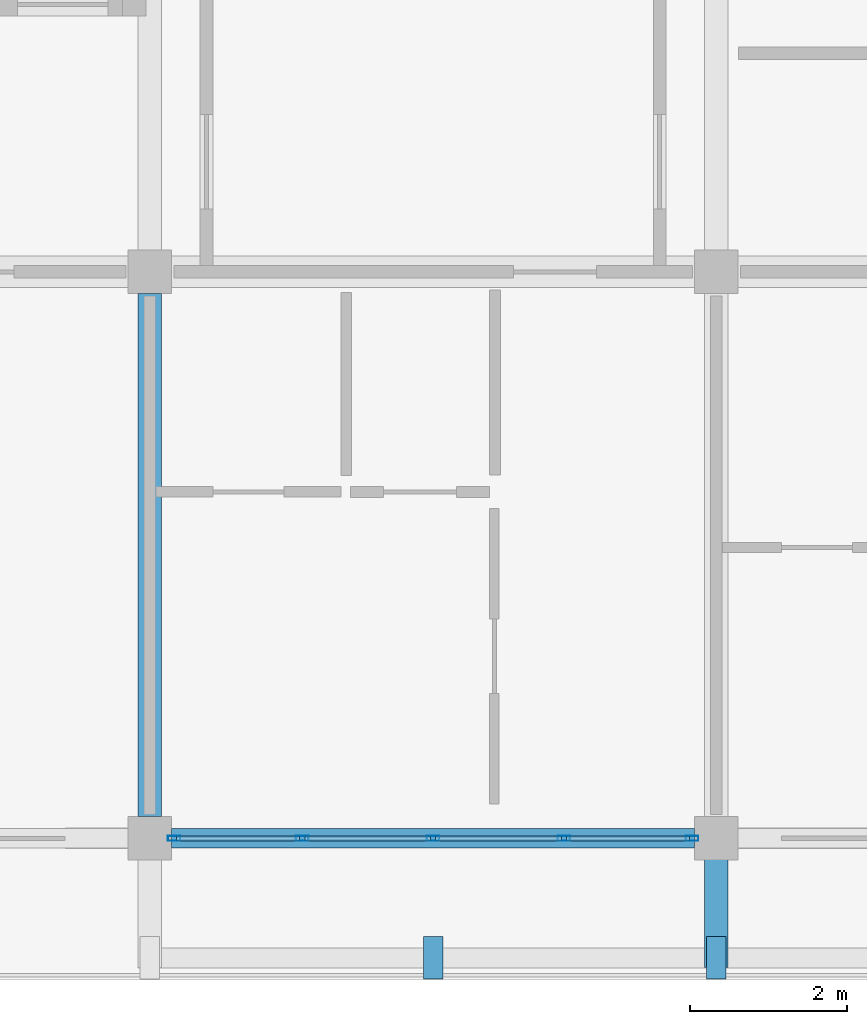
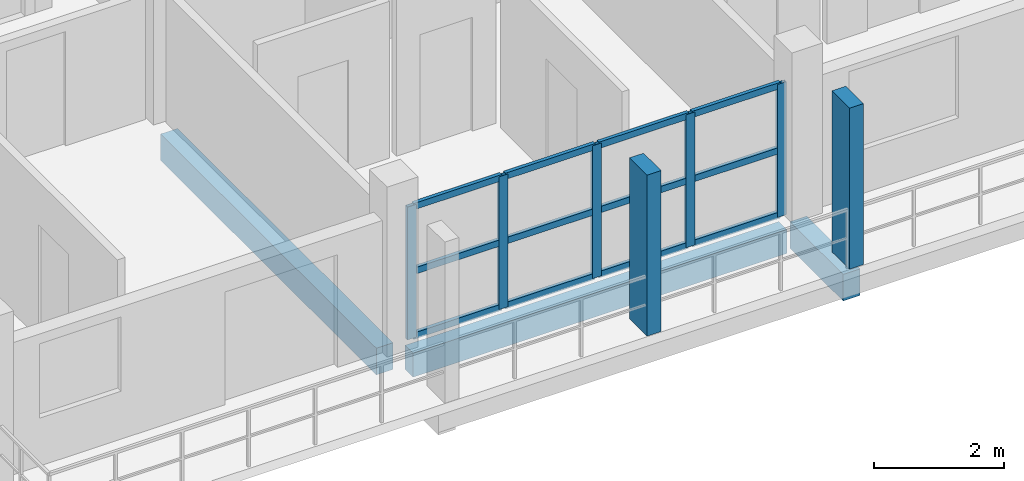
# One storey, part 19 of 65: 19 members, 3 beams, 1 element without a shape of its own.
"""IFC4 building model written with IfcOpenShell, lengths in metres."""

from ifc_helpers import new_model, si_unit, direction, frame, origin, origin_2d, place, context, subcontext, project, spatial, rectangle, hollow_rectangle, extrude, material, material_profile, profile_set, type_object, element, aggregate, save


model = new_model("IFC4")

# Units and contexts
model_context = context("Model", 3, precision=1e-05, world=origin(), true_north=direction((0.0, 1.0)))
body_context = subcontext(model_context, "Body", "Model", "MODEL_VIEW")
ifc_project = project(units=[si_unit("LENGTHUNIT", "METRE"), si_unit("AREAUNIT", "SQUARE_METRE"), si_unit("VOLUMEUNIT", "CUBIC_METRE"), si_unit("PLANEANGLEUNIT", "RADIAN"), si_unit("MASSUNIT", "GRAM", prefix="KILO")], contexts=[model_context])

# Site, building, storey
site_placement = place(None, origin())
site = spatial("IfcSite", under=ifc_project, at=site_placement, CompositionType="ELEMENT")
building_placement = place(site_placement, origin())
building = spatial("IfcBuilding", under=site, at=building_placement, Name="Suanplinth Sawtooth Commons", CompositionType="ELEMENT")
storey_placement = place(building_placement, frame((0.0, 0.0, 28.300048828125)))
storey = spatial("IfcBuildingStorey", under=building, at=storey_placement, Name="L08", CompositionType="ELEMENT", Elevation=28.300048828125)

# Beams
ifc_material_1 = material(Name="Precast concrete C40/50", Category="concrete")
ifc_material_profile_1 = material_profile(ifc_material_1, rectangle(XDim=0.300048828125, YDim=0.5, at=origin_2d()), Name="PC-BM 300x500")
ifc_profile_set_1 = profile_set([ifc_material_profile_1], Name="Precast concrete C40/50")
beam_type_1 = type_object("IfcBeamType", Name="B-07", PredefinedType="BEAM", material=ifc_profile_set_1)
beam_1_placement = place(storey_placement, frame((144.0, 0.27490234375, -0.4599609375), z_axis=(0.0, 1.0, 0.0), x_axis=(-1.0, 0.0, 0.0)))
element("IfcBeam", 1, at=beam_1_placement, inside=storey, type_object=beam_type_1, Name="BMY-L08-C-20-0", PredefinedType="BEAM", context=body_context, shape_type="SweptSolid", body=[
    extrude(rectangle(XDim=0.300048828125, YDim=0.5, at=origin_2d()), origin(), (0.0, 0.0, 1.0), 6.650146484375),
])
beam_2_placement = place(storey_placement, frame((151.199951171875, 0.0, -0.429931640625), z_axis=(0.0, -1.0, 0.0), x_axis=(1.0, 0.0, 0.0)))
element("IfcBeam", 2, at=beam_2_placement, inside=storey, type_object=beam_type_1, Name="Balcony Outrigger L08-C-S-21", PredefinedType="BEAM", context=body_context, shape_type="SweptSolid", body=[
    extrude(rectangle(XDim=0.300048828125, YDim=0.5, at=origin_2d()), origin(), (0.0, 0.0, 1.0), 1.639892578125),
])
ifc_material_profile_2 = material_profile(ifc_material_1, rectangle(XDim=0.25, YDim=0.449951171875, at=origin_2d()), Name="PC-SP 250x450")
ifc_profile_set_2 = profile_set([ifc_material_profile_2], Name="Precast concrete C40/50")
beam_type_2 = type_object("IfcBeamType", Name="B-09", PredefinedType="SPANDREL", material=ifc_profile_set_2)
beam_3_placement = place(storey_placement, frame((144.27490234375, 0.0, -0.43505859375), z_axis=(1.0, 0.0, 0.0), x_axis=(0.0, 1.0, 0.0)))
element("IfcBeam", 3, at=beam_3_placement, inside=storey, type_object=beam_type_2, Name="BMX-L08-C-20-0", PredefinedType="SPANDREL", context=body_context, shape_type="SweptSolid", body=[
    extrude(rectangle(XDim=0.25, YDim=0.449951171875, at=origin_2d()), origin(), (0.0, 0.0, 1.0), 6.650146484375),
])

# Members
ifc_material_2 = material(Name="Pigmented precast concrete C40/50", Category="concrete")
ifc_material_profile_3 = material_profile(ifc_material_2, rectangle(XDim=0.25, YDim=0.5400390625, at=origin_2d()), Name="PC-FIN 250x540")
ifc_profile_set_3 = profile_set([ifc_material_profile_3], Name="Pigmented precast concrete C40/50")
member_type_1 = type_object("IfcMemberType", Name="M-11", PredefinedType="USERDEFINED", material=ifc_profile_set_3)
for number, where, z_axis, x_axis, name in (
    (4, (147.60009765625, -1.52001953125, 0.0), (0.0, 0.0, 1.0), (1.0, 0.0, 0.0), "Upright Solar Blade L08-C-S-02"),
    (5, (151.199951171875, -1.52001953125, 0.0), (0.0, 0.0, 1.0), (1.0, 0.0, 0.0), "Upright Solar Blade L08-C-S-03"),
):
    element("IfcMember", number, at=place(storey_placement, frame(where, z_axis=z_axis, x_axis=x_axis)), inside=storey, type_object=member_type_1, Name=name, ObjectType="SHADING FIN", PredefinedType="USERDEFINED", context=body_context, shape_type="SweptSolid", body=[
        extrude(rectangle(XDim=0.25, YDim=0.5400390625, at=origin_2d()), origin(), (0.0, 0.0, 1.0), 3.030029296875),
    ])

# Curtain wall, members
ifc_material_3 = material(Name="Anodized aluminium and low-E glazing", Category="aluminium")
curtain_wall_type = type_object("IfcCurtainWallType", Name="CW-06", PredefinedType="USERDEFINED", material=ifc_material_3)
curtain_wall_placement = place(storey_placement, origin())
curtain_wall = element("IfcCurtainWall", 6, at=curtain_wall_placement, inside=storey, type_object=curtain_wall_type, Name="Curtain Wall CW-L08-C-LOUNGE-20", ObjectType="CURTAIN WALL", PredefinedType="USERDEFINED")
ifc_material_4 = material(Name="Anodized aluminium 6063-T6", Category="aluminium")
ifc_material_profile_4 = material_profile(ifc_material_4, hollow_rectangle(XDim=0.06494140625, YDim=0.159912109375, WallThickness=0.00390625, at=origin_2d()), Name="ALU-MUL 65x160")
ifc_profile_set_4 = profile_set([ifc_material_profile_4], Name="Anodized aluminium 6063-T6")
member_type_2 = type_object("IfcMemberType", Name="M-13", PredefinedType="MULLION", material=ifc_profile_set_4)
member_1_placement = place(storey_placement, frame((144.3076171875, 0.0, 0.0), z_axis=(0.0, 0.0, 1.0), x_axis=(0.0, 1.0, 0.0)))
member_1 = element("IfcMember", 7, at=member_1_placement, type_object=member_type_2, Name="CW-06 mullion 1", PredefinedType="MULLION", context=body_context, shape_type="SweptSolid", body=[
    extrude(hollow_rectangle(XDim=0.06494140625, YDim=0.159912109375, WallThickness=0.00390625, at=origin_2d()), origin(), (0.0, 0.0, 1.0), 2.5),
])
member_2_placement = place(storey_placement, frame((145.9375, 0.0, 0.0), z_axis=(0.0, 0.0, 1.0), x_axis=(0.0, 1.0, 0.0)))
member_2 = element("IfcMember", 8, at=member_2_placement, type_object=member_type_2, Name="CW-06 mullion 2", PredefinedType="MULLION", context=body_context, shape_type="SweptSolid", body=[
    extrude(hollow_rectangle(XDim=0.06494140625, YDim=0.159912109375, WallThickness=0.00390625, at=origin_2d()), origin(), (0.0, 0.0, 1.0), 2.5),
])
member_3_placement = place(storey_placement, frame((147.60009765625, 0.0, 0.0), z_axis=(0.0, 0.0, 1.0), x_axis=(0.0, 1.0, 0.0)))
member_3 = element("IfcMember", 9, at=member_3_placement, type_object=member_type_2, Name="CW-06 mullion 3", PredefinedType="MULLION", context=body_context, shape_type="SweptSolid", body=[
    extrude(hollow_rectangle(XDim=0.06494140625, YDim=0.159912109375, WallThickness=0.00390625, at=origin_2d()), origin(), (0.0, 0.0, 1.0), 2.5),
])
member_4_placement = place(storey_placement, frame((149.262451171875, 0.0, 0.0), z_axis=(0.0, 0.0, 1.0), x_axis=(0.0, 1.0, 0.0)))
member_4 = element("IfcMember", 10, at=member_4_placement, type_object=member_type_2, Name="CW-06 mullion 4", PredefinedType="MULLION", context=body_context, shape_type="SweptSolid", body=[
    extrude(hollow_rectangle(XDim=0.06494140625, YDim=0.159912109375, WallThickness=0.00390625, at=origin_2d()), origin(), (0.0, 0.0, 1.0), 2.5),
])
member_5_placement = place(storey_placement, frame((150.892578125, 0.0, 0.0), z_axis=(0.0, 0.0, 1.0), x_axis=(0.0, 1.0, 0.0)))
member_5 = element("IfcMember", 11, at=member_5_placement, type_object=member_type_2, Name="CW-06 mullion 5", PredefinedType="MULLION", context=body_context, shape_type="SweptSolid", body=[
    extrude(hollow_rectangle(XDim=0.06494140625, YDim=0.159912109375, WallThickness=0.00390625, at=origin_2d()), origin(), (0.0, 0.0, 1.0), 2.5),
])
ifc_material_profile_5 = material_profile(ifc_material_4, hollow_rectangle(XDim=0.06494140625, YDim=0.1201171875, WallThickness=0.00390625, at=origin_2d()), Name="ALU-TRN 65x120")
ifc_profile_set_5 = profile_set([ifc_material_profile_5], Name="Anodized aluminium 6063-T6")
member_type_3 = type_object("IfcMemberType", Name="M-15", PredefinedType="USERDEFINED", material=ifc_profile_set_5)
member_6_placement = place(storey_placement, frame((144.340087890625, 0.0, 0.032470703125), z_axis=(1.0, 0.0, 0.0), x_axis=(0.0, 1.0, 0.0)))
member_6 = element("IfcMember", 12, at=member_6_placement, type_object=member_type_3, Name="CW-06 transom 1.1", ObjectType="TRANSOM", PredefinedType="USERDEFINED", context=body_context, shape_type="SweptSolid", body=[
    extrude(hollow_rectangle(XDim=0.06494140625, YDim=0.1201171875, WallThickness=0.00390625, at=origin_2d()), origin(), (0.0, 0.0, 1.0), 1.56494140625),
])
member_7_placement = place(storey_placement, frame((144.340087890625, 0.0, 1.25), z_axis=(1.0, 0.0, 0.0), x_axis=(0.0, 1.0, 0.0)))
member_7 = element("IfcMember", 13, at=member_7_placement, type_object=member_type_3, Name="CW-06 transom 1.2", ObjectType="TRANSOM", PredefinedType="USERDEFINED", context=body_context, shape_type="SweptSolid", body=[
    extrude(hollow_rectangle(XDim=0.06494140625, YDim=0.1201171875, WallThickness=0.00390625, at=origin_2d()), origin(), (0.0, 0.0, 1.0), 1.56494140625),
])
member_8_placement = place(storey_placement, frame((144.340087890625, 0.0, 2.467529296875), z_axis=(1.0, 0.0, 0.0), x_axis=(0.0, 1.0, 0.0)))
member_8 = element("IfcMember", 14, at=member_8_placement, type_object=member_type_3, Name="CW-06 transom 1.3", ObjectType="TRANSOM", PredefinedType="USERDEFINED", context=body_context, shape_type="SweptSolid", body=[
    extrude(hollow_rectangle(XDim=0.06494140625, YDim=0.1201171875, WallThickness=0.00390625, at=origin_2d()), origin(), (0.0, 0.0, 1.0), 1.56494140625),
])
member_9_placement = place(storey_placement, frame((145.969970703125, 0.0, 0.032470703125), z_axis=(1.0, 0.0, 0.0), x_axis=(0.0, 1.0, 0.0)))
member_9 = element("IfcMember", 15, at=member_9_placement, type_object=member_type_3, Name="CW-06 transom 2.1", ObjectType="TRANSOM", PredefinedType="USERDEFINED", context=body_context, shape_type="SweptSolid", body=[
    extrude(hollow_rectangle(XDim=0.06494140625, YDim=0.1201171875, WallThickness=0.00390625, at=origin_2d()), origin(), (0.0, 0.0, 1.0), 1.597412109375),
])
member_10_placement = place(storey_placement, frame((145.969970703125, 0.0, 1.25), z_axis=(1.0, 0.0, 0.0), x_axis=(0.0, 1.0, 0.0)))
member_10 = element("IfcMember", 16, at=member_10_placement, type_object=member_type_3, Name="CW-06 transom 2.2", ObjectType="TRANSOM", PredefinedType="USERDEFINED", context=body_context, shape_type="SweptSolid", body=[
    extrude(hollow_rectangle(XDim=0.06494140625, YDim=0.1201171875, WallThickness=0.00390625, at=origin_2d()), origin(), (0.0, 0.0, 1.0), 1.597412109375),
])
member_11_placement = place(storey_placement, frame((145.969970703125, 0.0, 2.467529296875), z_axis=(1.0, 0.0, 0.0), x_axis=(0.0, 1.0, 0.0)))
member_11 = element("IfcMember", 17, at=member_11_placement, type_object=member_type_3, Name="CW-06 transom 2.3", ObjectType="TRANSOM", PredefinedType="USERDEFINED", context=body_context, shape_type="SweptSolid", body=[
    extrude(hollow_rectangle(XDim=0.06494140625, YDim=0.1201171875, WallThickness=0.00390625, at=origin_2d()), origin(), (0.0, 0.0, 1.0), 1.597412109375),
])
member_12_placement = place(storey_placement, frame((147.632568359375, 0.0, 0.032470703125), z_axis=(1.0, 0.0, 0.0), x_axis=(0.0, 1.0, 0.0)))
member_12 = element("IfcMember", 18, at=member_12_placement, type_object=member_type_3, Name="CW-06 transom 3.1", ObjectType="TRANSOM", PredefinedType="USERDEFINED", context=body_context, shape_type="SweptSolid", body=[
    extrude(hollow_rectangle(XDim=0.06494140625, YDim=0.1201171875, WallThickness=0.00390625, at=origin_2d()), origin(), (0.0, 0.0, 1.0), 1.597412109375),
])
member_13_placement = place(storey_placement, frame((147.632568359375, 0.0, 1.25), z_axis=(1.0, 0.0, 0.0), x_axis=(0.0, 1.0, 0.0)))
member_13 = element("IfcMember", 19, at=member_13_placement, type_object=member_type_3, Name="CW-06 transom 3.2", ObjectType="TRANSOM", PredefinedType="USERDEFINED", context=body_context, shape_type="SweptSolid", body=[
    extrude(hollow_rectangle(XDim=0.06494140625, YDim=0.1201171875, WallThickness=0.00390625, at=origin_2d()), origin(), (0.0, 0.0, 1.0), 1.597412109375),
])
member_14_placement = place(storey_placement, frame((147.632568359375, 0.0, 2.467529296875), z_axis=(1.0, 0.0, 0.0), x_axis=(0.0, 1.0, 0.0)))
member_14 = element("IfcMember", 20, at=member_14_placement, type_object=member_type_3, Name="CW-06 transom 3.3", ObjectType="TRANSOM", PredefinedType="USERDEFINED", context=body_context, shape_type="SweptSolid", body=[
    extrude(hollow_rectangle(XDim=0.06494140625, YDim=0.1201171875, WallThickness=0.00390625, at=origin_2d()), origin(), (0.0, 0.0, 1.0), 1.597412109375),
])
member_15_placement = place(storey_placement, frame((149.294921875, 0.0, 0.032470703125), z_axis=(1.0, 0.0, 0.0), x_axis=(0.0, 1.0, 0.0)))
member_15 = element("IfcMember", 21, at=member_15_placement, type_object=member_type_3, Name="CW-06 transom 4.1", ObjectType="TRANSOM", PredefinedType="USERDEFINED", context=body_context, shape_type="SweptSolid", body=[
    extrude(hollow_rectangle(XDim=0.06494140625, YDim=0.1201171875, WallThickness=0.00390625, at=origin_2d()), origin(), (0.0, 0.0, 1.0), 1.565185546875),
])
member_16_placement = place(storey_placement, frame((149.294921875, 0.0, 1.25), z_axis=(1.0, 0.0, 0.0), x_axis=(0.0, 1.0, 0.0)))
member_16 = element("IfcMember", 22, at=member_16_placement, type_object=member_type_3, Name="CW-06 transom 4.2", ObjectType="TRANSOM", PredefinedType="USERDEFINED", context=body_context, shape_type="SweptSolid", body=[
    extrude(hollow_rectangle(XDim=0.06494140625, YDim=0.1201171875, WallThickness=0.00390625, at=origin_2d()), origin(), (0.0, 0.0, 1.0), 1.565185546875),
])
member_17_placement = place(storey_placement, frame((149.294921875, 0.0, 2.467529296875), z_axis=(1.0, 0.0, 0.0), x_axis=(0.0, 1.0, 0.0)))
member_17 = element("IfcMember", 23, at=member_17_placement, type_object=member_type_3, Name="CW-06 transom 4.3", ObjectType="TRANSOM", PredefinedType="USERDEFINED", context=body_context, shape_type="SweptSolid", body=[
    extrude(hollow_rectangle(XDim=0.06494140625, YDim=0.1201171875, WallThickness=0.00390625, at=origin_2d()), origin(), (0.0, 0.0, 1.0), 1.565185546875),
])
aggregate(curtain_wall, [member_1, member_2, member_3, member_4, member_5, member_6, member_7, member_8, member_9, member_10, member_11, member_12, member_13, member_14, member_15, member_16, member_17])

save(model, "model.ifc")
